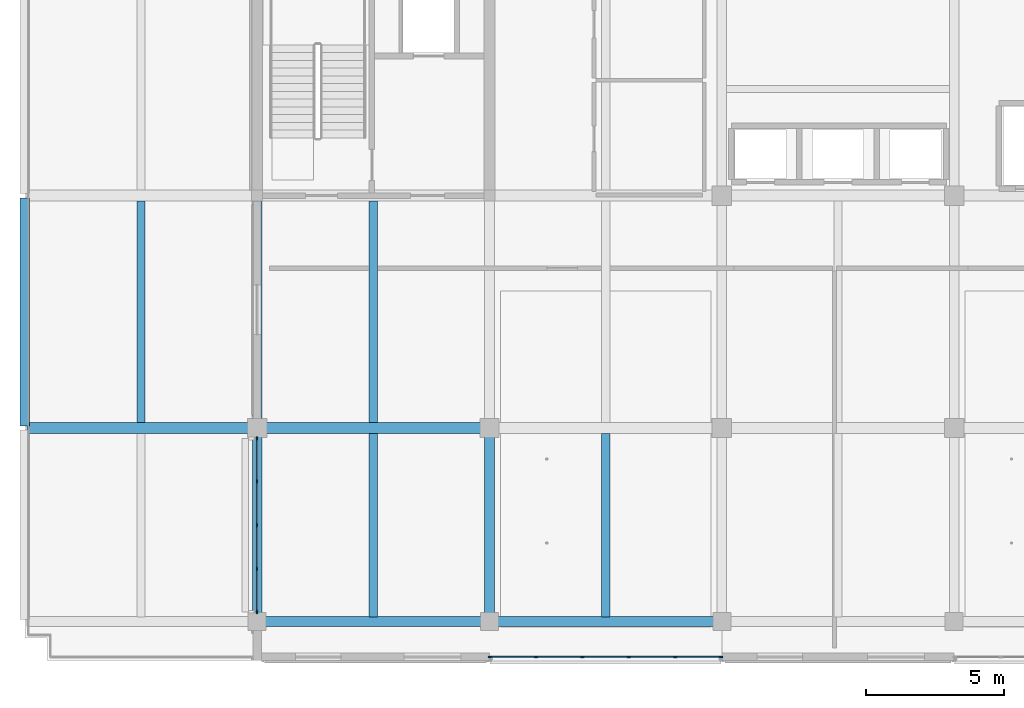
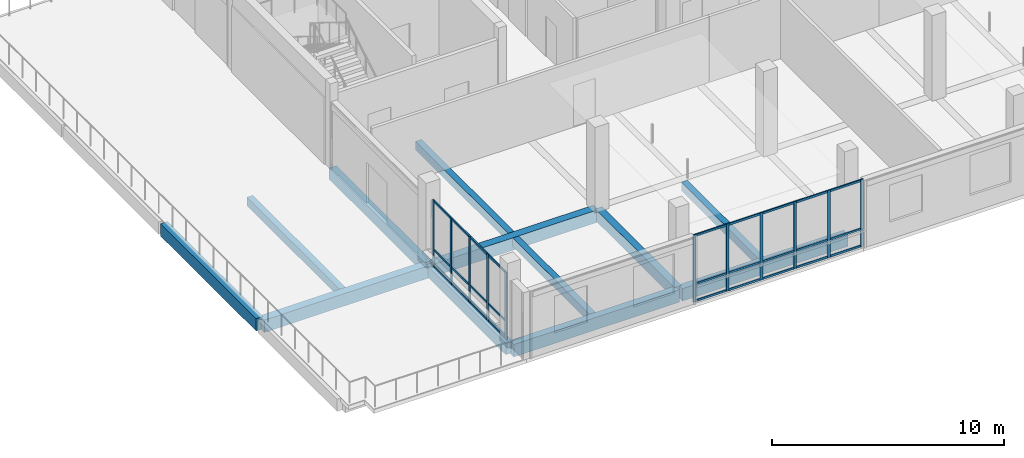
# One storey, part 2 of 28: 38 members, 12 beams, 2 elements without a shape of their own.
"""IFC4 building model written with IfcOpenShell, lengths in metres."""

from ifc_helpers import new_model, si_unit, direction, frame, origin, origin_2d, place, context, subcontext, project, spatial, rectangle, extrude, material, layer, layer_set, material_profile, profile_set, type_object, element, aggregate, save


model = new_model("IFC4")

# Units and contexts
model_context = context("Model", 3, precision=1e-05, world=origin(), true_north=direction((0.0, 1.0)))
body_context = subcontext(model_context, "Body", "Model", "MODEL_VIEW")
ifc_project = project(units=[si_unit("LENGTHUNIT", "METRE"), si_unit("AREAUNIT", "SQUARE_METRE"), si_unit("VOLUMEUNIT", "CUBIC_METRE"), si_unit("PLANEANGLEUNIT", "RADIAN"), si_unit("MASSUNIT", "GRAM", prefix="KILO")], contexts=[model_context])

# Site, building, storey
site_placement = place(None, origin())
site = spatial("IfcSite", under=ifc_project, at=site_placement, CompositionType="ELEMENT")
building_placement = place(site_placement, origin())
building = spatial("IfcBuilding", under=site, at=building_placement, Name="Telukmera Botanical Conservatory", CompositionType="ELEMENT")
storey_placement = place(building_placement, frame((0.0, 0.0, 51.0)))
storey = spatial("IfcBuildingStorey", under=building, at=storey_placement, Name="L11", CompositionType="ELEMENT", Elevation=51.0)

# Beams
ifc_material_1 = material(Name="Concrete C40/50", Category="concrete")
ifc_material_profile_1 = material_profile(ifc_material_1, rectangle(XDim=0.300048828125, YDim=0.449951171875, at=origin_2d()), Name="RC 300x450")
ifc_profile_set_1 = profile_set([ifc_material_profile_1], Name="Concrete C40/50")
beam_type_1 = type_object("IfcBeamType", Name="Beam_B25", PredefinedType="JOIST", material=ifc_profile_set_1)
beam_1_placement = place(storey_placement, frame((54.60009765625, 17.800048828125, -0.22509765625), z_axis=(0.0, 1.0, 0.0), x_axis=(-1.0, 0.0, 0.0)))
element("IfcBeam", 1, at=beam_1_placement, inside=storey, type_object=beam_type_1, Name="Tower Secondary Floor Joist L11", PredefinedType="JOIST", context=body_context, shape_type="SweptSolid", body=[
    extrude(rectangle(XDim=0.300048828125, YDim=0.449951171875, at=origin_2d()), origin(), (0.0, 0.0, 1.0), 8.0),
])
beam_2_placement = place(storey_placement, frame((63.0, 10.77490234375, -0.22509765625), z_axis=(0.0, 1.0, 0.0), x_axis=(-1.0, 0.0, 0.0)))
element("IfcBeam", 2, at=beam_2_placement, inside=storey, type_object=beam_type_1, Name="Tower Secondary Floor Joist L11", PredefinedType="JOIST", context=body_context, shape_type="SweptSolid", body=[
    extrude(rectangle(XDim=0.300048828125, YDim=0.449951171875, at=origin_2d()), origin(), (0.0, 0.0, 1.0), 6.625),
])
beam_3_placement = place(storey_placement, frame((63.0, 17.800048828125, -0.22509765625), z_axis=(0.0, 1.0, 0.0), x_axis=(-1.0, 0.0, 0.0)))
element("IfcBeam", 3, at=beam_3_placement, inside=storey, type_object=beam_type_1, Name="Tower Secondary Floor Joist L11", PredefinedType="JOIST", context=body_context, shape_type="SweptSolid", body=[
    extrude(rectangle(XDim=0.300048828125, YDim=0.449951171875, at=origin_2d()), origin(), (0.0, 0.0, 1.0), 8.0),
])
beam_4_placement = place(storey_placement, frame((71.39990234375, 10.77490234375, -0.22509765625), z_axis=(0.0, 1.0, 0.0), x_axis=(-1.0, 0.0, 0.0)))
element("IfcBeam", 4, at=beam_4_placement, inside=storey, type_object=beam_type_1, Name="Tower Secondary Floor Joist L11", PredefinedType="JOIST", context=body_context, shape_type="SweptSolid", body=[
    extrude(rectangle(XDim=0.300048828125, YDim=0.449951171875, at=origin_2d()), origin(), (0.0, 0.0, 1.0), 6.625),
])
ifc_material_profile_2 = material_profile(ifc_material_1, rectangle(XDim=0.39990234375, YDim=0.64990234375, at=origin_2d()), Name="RC 400x650")
ifc_profile_set_2 = profile_set([ifc_material_profile_2], Name="Concrete C40/50")
beam_type_2 = type_object("IfcBeamType", Name="Beam_B8", PredefinedType="BEAM", material=ifc_profile_set_2)
beam_5_placement = place(storey_placement, frame((50.47998046875, 17.60009765625, -0.324951171875), z_axis=(1.0, 0.0, 0.0), x_axis=(0.0, 1.0, 0.0)))
element("IfcBeam", 5, at=beam_5_placement, inside=storey, type_object=beam_type_2, Name="Tower Grid Beam L11", PredefinedType="BEAM", context=body_context, shape_type="SweptSolid", body=[
    extrude(rectangle(XDim=0.39990234375, YDim=0.64990234375, at=origin_2d()), origin(), (0.0, 0.0, 1.0), 8.239990234375),
])
beam_6_placement = place(storey_placement, frame((58.8798828125, 17.60009765625, -0.324951171875), z_axis=(1.0, 0.0, 0.0), x_axis=(0.0, 1.0, 0.0)))
element("IfcBeam", 6, at=beam_6_placement, inside=storey, type_object=beam_type_2, Name="Tower Grid Beam L11", PredefinedType="BEAM", context=body_context, shape_type="SweptSolid", body=[
    extrude(rectangle(XDim=0.39990234375, YDim=0.64990234375, at=origin_2d()), origin(), (0.0, 0.0, 1.0), 8.240234375),
])
ifc_material_profile_3 = material_profile(ifc_material_1, rectangle(XDim=0.35009765625, YDim=0.60009765625, at=origin_2d()), Name="RC 350x600")
ifc_profile_set_3 = profile_set([ifc_material_profile_3], Name="Concrete C40/50")
beam_type_3 = type_object("IfcBeamType", Name="Beam_B9", PredefinedType="BEAM", material=ifc_profile_set_3)
beam_7_placement = place(storey_placement, frame((58.800048828125, 10.679931640625, -0.300048828125), z_axis=(0.0, 1.0, 0.0), x_axis=(-1.0, 0.0, 0.0)))
element("IfcBeam", 7, at=beam_7_placement, inside=storey, type_object=beam_type_3, Name="Tower Transverse Beam L11", PredefinedType="BEAM", context=body_context, shape_type="SweptSolid", body=[
    extrude(rectangle(XDim=0.35009765625, YDim=0.60009765625, at=origin_2d()), origin(), (0.0, 0.0, 1.0), 6.840087890625),
])
beam_8_placement = place(storey_placement, frame((58.800048828125, 17.679931640625, -0.300048828125), z_axis=(0.0, 1.0, 0.0), x_axis=(-1.0, 0.0, 0.0)))
element("IfcBeam", 8, at=beam_8_placement, inside=storey, type_object=beam_type_3, Name="Tower Transverse Beam L11", PredefinedType="BEAM", context=body_context, shape_type="SweptSolid", body=[
    extrude(rectangle(XDim=0.35009765625, YDim=0.60009765625, at=origin_2d()), origin(), (0.0, 0.0, 1.0), 8.239990234375),
])
beam_9_placement = place(storey_placement, frame((67.199951171875, 10.679931640625, -0.300048828125), z_axis=(0.0, 1.0, 0.0), x_axis=(-1.0, 0.0, 0.0)))
element("IfcBeam", 9, at=beam_9_placement, inside=storey, type_object=beam_type_3, Name="Tower Transverse Beam L11", PredefinedType="BEAM", context=body_context, shape_type="SweptSolid", body=[
    extrude(rectangle(XDim=0.35009765625, YDim=0.60009765625, at=origin_2d()), origin(), (0.0, 0.0, 1.0), 6.840087890625),
])
ifc_material_2 = material(Name="Precast concrete C40/50", Category="concrete")
ifc_material_profile_4 = material_profile(ifc_material_2, rectangle(XDim=0.35009765625, YDim=0.64990234375, at=origin_2d()), Name="PC 350x650")
ifc_profile_set_4 = profile_set([ifc_material_profile_4], Name="Precast concrete C40/50")
beam_type_4 = type_object("IfcBeamType", Name="Beam_SP3", PredefinedType="SPANDREL", material=ifc_profile_set_4)
beam_10_placement = place(storey_placement, frame((58.8798828125, 10.60009765625, -0.324951171875), z_axis=(1.0, 0.0, 0.0), x_axis=(0.0, 1.0, 0.0)))
element("IfcBeam", 10, at=beam_10_placement, inside=storey, type_object=beam_type_4, Name="Tower Grid Beam L11", PredefinedType="SPANDREL", context=body_context, shape_type="SweptSolid", body=[
    extrude(rectangle(XDim=0.35009765625, YDim=0.64990234375, at=origin_2d()), origin(), (0.0, 0.0, 1.0), 8.240234375),
])
for number, where, z_axis, x_axis, name in (
    (11, (67.280029296875, 10.60009765625, -0.324951171875), (1.0, 0.0, 0.0), (0.0, 1.0, 0.0), "Tower Grid Beam L11"),
    (12, (50.39990234375, 17.679931640625, -0.324951171875), (0.0, 1.0, 0.0), (-1.0, 0.0, 0.0), "Tower Transverse Beam L11"),
):
    element("IfcBeam", number, at=place(storey_placement, frame(where, z_axis=z_axis, x_axis=x_axis)), inside=storey, type_object=beam_type_4, Name=name, PredefinedType="SPANDREL", context=body_context, shape_type="SweptSolid", body=[
        extrude(rectangle(XDim=0.35009765625, YDim=0.64990234375, at=origin_2d()), origin(), (0.0, 0.0, 1.0), 8.239990234375),
    ])

# Curtain wall, members
ifc_material_3 = material(Name="Anodised aluminium 6063-T6", Category="aluminium")
ifc_layer = layer(ifc_material_3, 0.179931640625)
ifc_layer_set = layer_set([ifc_layer], Name="Anodised aluminium 6063-T6")
curtain_wall_type = type_object("IfcCurtainWallType", Name="Tower Research Laboratory Unitised Curtain Wall", PredefinedType="USERDEFINED", material=ifc_layer_set)
curtain_wall_1_placement = place(storey_placement, origin())
curtain_wall_1 = element("IfcCurtainWall", 13, at=curtain_wall_1_placement, inside=storey, type_object=curtain_wall_type, Name="Unitised Curtain Wall CW15 V4:L11:S2", ObjectType="UNITISED CURTAIN WALL", PredefinedType="USERDEFINED")
ifc_material_profile_5 = material_profile(ifc_material_3, rectangle(XDim=0.06005859375, YDim=0.139892578125, at=origin_2d()), Name="ALU MULL 60x140")
ifc_profile_set_5 = profile_set([ifc_material_profile_5], Name="Anodised aluminium 6063-T6")
member_type_1 = type_object("IfcMemberType", Name="Curtain Wall Extruded Mullion 60x140", PredefinedType="MULLION", material=ifc_profile_set_5)
member_1_placement = place(storey_placement, frame((67.23193359375, 9.320068359375, 0.0), z_axis=(0.0, 0.0, 1.0), x_axis=(0.0, 1.0, 0.0)))
member_1 = element("IfcMember", 14, at=member_1_placement, type_object=member_type_1, Name="CW15 mullion 1", PredefinedType="MULLION", context=body_context, shape_type="SweptSolid", body=[
    extrude(rectangle(XDim=0.06005859375, YDim=0.139892578125, at=origin_2d()), origin(), (0.0, 0.0, 1.0), 3.550048828125),
])
member_2_placement = place(storey_placement, frame((68.881103515625, 9.320068359375, 0.0), z_axis=(0.0, 0.0, 1.0), x_axis=(0.0, 1.0, 0.0)))
member_2 = element("IfcMember", 15, at=member_2_placement, type_object=member_type_1, Name="CW15 mullion 2", PredefinedType="MULLION", context=body_context, shape_type="SweptSolid", body=[
    extrude(rectangle(XDim=0.06005859375, YDim=0.139892578125, at=origin_2d()), origin(), (0.0, 0.0, 1.0), 3.550048828125),
])
member_3_placement = place(storey_placement, frame((70.560302734375, 9.320068359375, 0.0), z_axis=(0.0, 0.0, 1.0), x_axis=(0.0, 1.0, 0.0)))
member_3 = element("IfcMember", 16, at=member_3_placement, type_object=member_type_1, Name="CW15 mullion 3", PredefinedType="MULLION", context=body_context, shape_type="SweptSolid", body=[
    extrude(rectangle(XDim=0.06005859375, YDim=0.139892578125, at=origin_2d()), origin(), (0.0, 0.0, 1.0), 3.550048828125),
])
member_4_placement = place(storey_placement, frame((72.239501953125, 9.320068359375, 0.0), z_axis=(0.0, 0.0, 1.0), x_axis=(0.0, 1.0, 0.0)))
member_4 = element("IfcMember", 17, at=member_4_placement, type_object=member_type_1, Name="CW15 mullion 4", PredefinedType="MULLION", context=body_context, shape_type="SweptSolid", body=[
    extrude(rectangle(XDim=0.06005859375, YDim=0.139892578125, at=origin_2d()), origin(), (0.0, 0.0, 1.0), 3.550048828125),
])
member_5_placement = place(storey_placement, frame((73.918701171875, 9.320068359375, 0.0), z_axis=(0.0, 0.0, 1.0), x_axis=(0.0, 1.0, 0.0)))
member_5 = element("IfcMember", 18, at=member_5_placement, type_object=member_type_1, Name="CW15 mullion 5", PredefinedType="MULLION", context=body_context, shape_type="SweptSolid", body=[
    extrude(rectangle(XDim=0.06005859375, YDim=0.139892578125, at=origin_2d()), origin(), (0.0, 0.0, 1.0), 3.550048828125),
])
member_6_placement = place(storey_placement, frame((75.568115234375, 9.320068359375, 0.0), z_axis=(0.0, 0.0, 1.0), x_axis=(0.0, 1.0, 0.0)))
member_6 = element("IfcMember", 19, at=member_6_placement, type_object=member_type_1, Name="CW15 mullion 6", PredefinedType="MULLION", context=body_context, shape_type="SweptSolid", body=[
    extrude(rectangle(XDim=0.06005859375, YDim=0.139892578125, at=origin_2d()), origin(), (0.0, 0.0, 1.0), 3.550048828125),
])

curtain_wall_2_placement = place(storey_placement, origin())
curtain_wall_2 = element("IfcCurtainWall", 20, at=curtain_wall_2_placement, inside=storey, type_object=curtain_wall_type, Name="Unitised Curtain Wall CW15 V4:L11:W1", ObjectType="UNITISED CURTAIN WALL", PredefinedType="USERDEFINED")
member_7_placement = place(storey_placement, frame((58.800048828125, 10.95703125, 0.0), z_axis=(0.0, 0.0, 1.0), x_axis=(-1.0, 0.0, 0.0)))
member_7 = element("IfcMember", 21, at=member_7_placement, type_object=member_type_1, Name="CW15 mullion 1", PredefinedType="MULLION", context=body_context, shape_type="SweptSolid", body=[
    extrude(rectangle(XDim=0.06005859375, YDim=0.139892578125, at=origin_2d()), origin(), (0.0, 0.0, 1.0), 3.550048828125),
])
member_8_placement = place(storey_placement, frame((58.800048828125, 12.50732421875, 0.0), z_axis=(0.0, 0.0, 1.0), x_axis=(-1.0, 0.0, 0.0)))
member_8 = element("IfcMember", 22, at=member_8_placement, type_object=member_type_1, Name="CW15 mullion 2", PredefinedType="MULLION", context=body_context, shape_type="SweptSolid", body=[
    extrude(rectangle(XDim=0.06005859375, YDim=0.139892578125, at=origin_2d()), origin(), (0.0, 0.0, 1.0), 3.550048828125),
])
member_9_placement = place(storey_placement, frame((58.800048828125, 14.08740234375, 0.0), z_axis=(0.0, 0.0, 1.0), x_axis=(-1.0, 0.0, 0.0)))
member_9 = element("IfcMember", 23, at=member_9_placement, type_object=member_type_1, Name="CW15 mullion 3", PredefinedType="MULLION", context=body_context, shape_type="SweptSolid", body=[
    extrude(rectangle(XDim=0.06005859375, YDim=0.139892578125, at=origin_2d()), origin(), (0.0, 0.0, 1.0), 3.550048828125),
])
member_10_placement = place(storey_placement, frame((58.800048828125, 15.667724609375, 0.0), z_axis=(0.0, 0.0, 1.0), x_axis=(-1.0, 0.0, 0.0)))
member_10 = element("IfcMember", 24, at=member_10_placement, type_object=member_type_1, Name="CW15 mullion 4", PredefinedType="MULLION", context=body_context, shape_type="SweptSolid", body=[
    extrude(rectangle(XDim=0.06005859375, YDim=0.139892578125, at=origin_2d()), origin(), (0.0, 0.0, 1.0), 3.550048828125),
])
member_11_placement = place(storey_placement, frame((58.800048828125, 17.218017578125, 0.0), z_axis=(0.0, 0.0, 1.0), x_axis=(-1.0, 0.0, 0.0)))
member_11 = element("IfcMember", 25, at=member_11_placement, type_object=member_type_1, Name="CW15 mullion 5", PredefinedType="MULLION", context=body_context, shape_type="SweptSolid", body=[
    extrude(rectangle(XDim=0.06005859375, YDim=0.139892578125, at=origin_2d()), origin(), (0.0, 0.0, 1.0), 3.550048828125),
])

# Member
ifc_material_profile_6 = material_profile(ifc_material_3, rectangle(XDim=0.06005859375, YDim=0.110107421875, at=origin_2d()), Name="ALU TRAN 60x110")
ifc_profile_set_6 = profile_set([ifc_material_profile_6], Name="Anodised aluminium 6063-T6")
member_type_2 = type_object("IfcMemberType", Name="Curtain Wall Extruded Transom 60x110", PredefinedType="USERDEFINED", material=ifc_profile_set_6)
member_12_placement = place(storey_placement, frame((67.261962890625, 9.320068359375, 0.054931640625), z_axis=(1.0, 0.0, 0.0), x_axis=(0.0, 1.0, 0.0)))
member_12 = element("IfcMember", 26, at=member_12_placement, type_object=member_type_2, Name="CW15 transom 1.1", ObjectType="TRANSOM", PredefinedType="USERDEFINED", context=body_context, shape_type="SweptSolid", body=[
    extrude(rectangle(XDim=0.06005859375, YDim=0.110107421875, at=origin_2d()), origin(), (0.0, 0.0, 1.0), 1.58935546875),
])

member_13_placement = place(storey_placement, frame((67.261962890625, 9.320068359375, 0.949951171875), z_axis=(1.0, 0.0, 0.0), x_axis=(0.0, 1.0, 0.0)))
member_13 = element("IfcMember", 27, at=member_13_placement, type_object=member_type_2, Name="CW15 transom 1.2", ObjectType="TRANSOM", PredefinedType="USERDEFINED", context=body_context, shape_type="SweptSolid", body=[
    extrude(rectangle(XDim=0.06005859375, YDim=0.110107421875, at=origin_2d()), origin(), (0.0, 0.0, 1.0), 1.58935546875),
])

member_14_placement = place(storey_placement, frame((67.261962890625, 9.320068359375, 3.4951171875), z_axis=(1.0, 0.0, 0.0), x_axis=(0.0, 1.0, 0.0)))
member_14 = element("IfcMember", 28, at=member_14_placement, type_object=member_type_2, Name="CW15 transom 1.3", ObjectType="TRANSOM", PredefinedType="USERDEFINED", context=body_context, shape_type="SweptSolid", body=[
    extrude(rectangle(XDim=0.06005859375, YDim=0.110107421875, at=origin_2d()), origin(), (0.0, 0.0, 1.0), 1.58935546875),
])

member_15_placement = place(storey_placement, frame((68.9111328125, 9.320068359375, 0.054931640625), z_axis=(1.0, 0.0, 0.0), x_axis=(0.0, 1.0, 0.0)))
member_15 = element("IfcMember", 29, at=member_15_placement, type_object=member_type_2, Name="CW15 transom 2.1", ObjectType="TRANSOM", PredefinedType="USERDEFINED", context=body_context, shape_type="SweptSolid", body=[
    extrude(rectangle(XDim=0.06005859375, YDim=0.110107421875, at=origin_2d()), origin(), (0.0, 0.0, 1.0), 1.619384765625),
])

member_16_placement = place(storey_placement, frame((68.9111328125, 9.320068359375, 0.949951171875), z_axis=(1.0, 0.0, 0.0), x_axis=(0.0, 1.0, 0.0)))
member_16 = element("IfcMember", 30, at=member_16_placement, type_object=member_type_2, Name="CW15 transom 2.2", ObjectType="TRANSOM", PredefinedType="USERDEFINED", context=body_context, shape_type="SweptSolid", body=[
    extrude(rectangle(XDim=0.06005859375, YDim=0.110107421875, at=origin_2d()), origin(), (0.0, 0.0, 1.0), 1.619384765625),
])

member_17_placement = place(storey_placement, frame((68.9111328125, 9.320068359375, 3.4951171875), z_axis=(1.0, 0.0, 0.0), x_axis=(0.0, 1.0, 0.0)))
member_17 = element("IfcMember", 31, at=member_17_placement, type_object=member_type_2, Name="CW15 transom 2.3", ObjectType="TRANSOM", PredefinedType="USERDEFINED", context=body_context, shape_type="SweptSolid", body=[
    extrude(rectangle(XDim=0.06005859375, YDim=0.110107421875, at=origin_2d()), origin(), (0.0, 0.0, 1.0), 1.619384765625),
])

member_18_placement = place(storey_placement, frame((70.59033203125, 9.320068359375, 0.054931640625), z_axis=(1.0, 0.0, 0.0), x_axis=(0.0, 1.0, 0.0)))
member_18 = element("IfcMember", 32, at=member_18_placement, type_object=member_type_2, Name="CW15 transom 3.1", ObjectType="TRANSOM", PredefinedType="USERDEFINED", context=body_context, shape_type="SweptSolid", body=[
    extrude(rectangle(XDim=0.06005859375, YDim=0.110107421875, at=origin_2d()), origin(), (0.0, 0.0, 1.0), 1.619384765625),
])

member_19_placement = place(storey_placement, frame((70.59033203125, 9.320068359375, 0.949951171875), z_axis=(1.0, 0.0, 0.0), x_axis=(0.0, 1.0, 0.0)))
member_19 = element("IfcMember", 33, at=member_19_placement, type_object=member_type_2, Name="CW15 transom 3.2", ObjectType="TRANSOM", PredefinedType="USERDEFINED", context=body_context, shape_type="SweptSolid", body=[
    extrude(rectangle(XDim=0.06005859375, YDim=0.110107421875, at=origin_2d()), origin(), (0.0, 0.0, 1.0), 1.619384765625),
])

member_20_placement = place(storey_placement, frame((70.59033203125, 9.320068359375, 3.4951171875), z_axis=(1.0, 0.0, 0.0), x_axis=(0.0, 1.0, 0.0)))
member_20 = element("IfcMember", 34, at=member_20_placement, type_object=member_type_2, Name="CW15 transom 3.3", ObjectType="TRANSOM", PredefinedType="USERDEFINED", context=body_context, shape_type="SweptSolid", body=[
    extrude(rectangle(XDim=0.06005859375, YDim=0.110107421875, at=origin_2d()), origin(), (0.0, 0.0, 1.0), 1.619384765625),
])

member_21_placement = place(storey_placement, frame((72.26953125, 9.320068359375, 0.054931640625), z_axis=(1.0, 0.0, 0.0), x_axis=(0.0, 1.0, 0.0)))
member_21 = element("IfcMember", 35, at=member_21_placement, type_object=member_type_2, Name="CW15 transom 4.1", ObjectType="TRANSOM", PredefinedType="USERDEFINED", context=body_context, shape_type="SweptSolid", body=[
    extrude(rectangle(XDim=0.06005859375, YDim=0.110107421875, at=origin_2d()), origin(), (0.0, 0.0, 1.0), 1.619384765625),
])

member_22_placement = place(storey_placement, frame((72.26953125, 9.320068359375, 0.949951171875), z_axis=(1.0, 0.0, 0.0), x_axis=(0.0, 1.0, 0.0)))
member_22 = element("IfcMember", 36, at=member_22_placement, type_object=member_type_2, Name="CW15 transom 4.2", ObjectType="TRANSOM", PredefinedType="USERDEFINED", context=body_context, shape_type="SweptSolid", body=[
    extrude(rectangle(XDim=0.06005859375, YDim=0.110107421875, at=origin_2d()), origin(), (0.0, 0.0, 1.0), 1.619384765625),
])

member_23_placement = place(storey_placement, frame((72.26953125, 9.320068359375, 3.4951171875), z_axis=(1.0, 0.0, 0.0), x_axis=(0.0, 1.0, 0.0)))
member_23 = element("IfcMember", 37, at=member_23_placement, type_object=member_type_2, Name="CW15 transom 4.3", ObjectType="TRANSOM", PredefinedType="USERDEFINED", context=body_context, shape_type="SweptSolid", body=[
    extrude(rectangle(XDim=0.06005859375, YDim=0.110107421875, at=origin_2d()), origin(), (0.0, 0.0, 1.0), 1.619384765625),
])

member_24_placement = place(storey_placement, frame((73.94873046875, 9.320068359375, 0.054931640625), z_axis=(1.0, 0.0, 0.0), x_axis=(0.0, 1.0, 0.0)))
member_24 = element("IfcMember", 38, at=member_24_placement, type_object=member_type_2, Name="CW15 transom 5.1", ObjectType="TRANSOM", PredefinedType="USERDEFINED", context=body_context, shape_type="SweptSolid", body=[
    extrude(rectangle(XDim=0.06005859375, YDim=0.110107421875, at=origin_2d()), origin(), (0.0, 0.0, 1.0), 1.58935546875),
])

member_25_placement = place(storey_placement, frame((73.94873046875, 9.320068359375, 0.949951171875), z_axis=(1.0, 0.0, 0.0), x_axis=(0.0, 1.0, 0.0)))
member_25 = element("IfcMember", 39, at=member_25_placement, type_object=member_type_2, Name="CW15 transom 5.2", ObjectType="TRANSOM", PredefinedType="USERDEFINED", context=body_context, shape_type="SweptSolid", body=[
    extrude(rectangle(XDim=0.06005859375, YDim=0.110107421875, at=origin_2d()), origin(), (0.0, 0.0, 1.0), 1.58935546875),
])

member_26_placement = place(storey_placement, frame((73.94873046875, 9.320068359375, 3.4951171875), z_axis=(1.0, 0.0, 0.0), x_axis=(0.0, 1.0, 0.0)))
member_26 = element("IfcMember", 40, at=member_26_placement, type_object=member_type_2, Name="CW15 transom 5.3", ObjectType="TRANSOM", PredefinedType="USERDEFINED", context=body_context, shape_type="SweptSolid", body=[
    extrude(rectangle(XDim=0.06005859375, YDim=0.110107421875, at=origin_2d()), origin(), (0.0, 0.0, 1.0), 1.58935546875),
])

aggregate(curtain_wall_1, [member_1, member_2, member_3, member_4, member_5, member_6, member_12, member_13, member_14, member_15, member_16, member_17, member_18, member_19, member_20, member_21, member_22, member_23, member_24, member_25, member_26])

member_27_placement = place(storey_placement, frame((58.800048828125, 10.987060546875, 0.054931640625), z_axis=(0.0, 1.0, 0.0), x_axis=(-1.0, 0.0, 0.0)))
member_27 = element("IfcMember", 41, at=member_27_placement, type_object=member_type_2, Name="CW15 transom 1.1", ObjectType="TRANSOM", PredefinedType="USERDEFINED", context=body_context, shape_type="SweptSolid", body=[
    extrude(rectangle(XDim=0.06005859375, YDim=0.110107421875, at=origin_2d()), origin(), (0.0, 0.0, 1.0), 1.490234375),
])

member_28_placement = place(storey_placement, frame((58.800048828125, 10.987060546875, 0.949951171875), z_axis=(0.0, 1.0, 0.0), x_axis=(-1.0, 0.0, 0.0)))
member_28 = element("IfcMember", 42, at=member_28_placement, type_object=member_type_2, Name="CW15 transom 1.2", ObjectType="TRANSOM", PredefinedType="USERDEFINED", context=body_context, shape_type="SweptSolid", body=[
    extrude(rectangle(XDim=0.06005859375, YDim=0.110107421875, at=origin_2d()), origin(), (0.0, 0.0, 1.0), 1.490234375),
])

member_29_placement = place(storey_placement, frame((58.800048828125, 10.987060546875, 3.4951171875), z_axis=(0.0, 1.0, 0.0), x_axis=(-1.0, 0.0, 0.0)))
member_29 = element("IfcMember", 43, at=member_29_placement, type_object=member_type_2, Name="CW15 transom 1.3", ObjectType="TRANSOM", PredefinedType="USERDEFINED", context=body_context, shape_type="SweptSolid", body=[
    extrude(rectangle(XDim=0.06005859375, YDim=0.110107421875, at=origin_2d()), origin(), (0.0, 0.0, 1.0), 1.490234375),
])

member_30_placement = place(storey_placement, frame((58.800048828125, 12.537353515625, 0.054931640625), z_axis=(0.0, 1.0, 0.0), x_axis=(-1.0, 0.0, 0.0)))
member_30 = element("IfcMember", 44, at=member_30_placement, type_object=member_type_2, Name="CW15 transom 2.1", ObjectType="TRANSOM", PredefinedType="USERDEFINED", context=body_context, shape_type="SweptSolid", body=[
    extrude(rectangle(XDim=0.06005859375, YDim=0.110107421875, at=origin_2d()), origin(), (0.0, 0.0, 1.0), 1.520263671875),
])

member_31_placement = place(storey_placement, frame((58.800048828125, 12.537353515625, 0.949951171875), z_axis=(0.0, 1.0, 0.0), x_axis=(-1.0, 0.0, 0.0)))
member_31 = element("IfcMember", 45, at=member_31_placement, type_object=member_type_2, Name="CW15 transom 2.2", ObjectType="TRANSOM", PredefinedType="USERDEFINED", context=body_context, shape_type="SweptSolid", body=[
    extrude(rectangle(XDim=0.06005859375, YDim=0.110107421875, at=origin_2d()), origin(), (0.0, 0.0, 1.0), 1.520263671875),
])

member_32_placement = place(storey_placement, frame((58.800048828125, 12.537353515625, 3.4951171875), z_axis=(0.0, 1.0, 0.0), x_axis=(-1.0, 0.0, 0.0)))
member_32 = element("IfcMember", 46, at=member_32_placement, type_object=member_type_2, Name="CW15 transom 2.3", ObjectType="TRANSOM", PredefinedType="USERDEFINED", context=body_context, shape_type="SweptSolid", body=[
    extrude(rectangle(XDim=0.06005859375, YDim=0.110107421875, at=origin_2d()), origin(), (0.0, 0.0, 1.0), 1.520263671875),
])

member_33_placement = place(storey_placement, frame((58.800048828125, 14.117431640625, 0.054931640625), z_axis=(0.0, 1.0, 0.0), x_axis=(-1.0, 0.0, 0.0)))
member_33 = element("IfcMember", 47, at=member_33_placement, type_object=member_type_2, Name="CW15 transom 3.1", ObjectType="TRANSOM", PredefinedType="USERDEFINED", context=body_context, shape_type="SweptSolid", body=[
    extrude(rectangle(XDim=0.06005859375, YDim=0.110107421875, at=origin_2d()), origin(), (0.0, 0.0, 1.0), 1.520263671875),
])

member_34_placement = place(storey_placement, frame((58.800048828125, 14.117431640625, 0.949951171875), z_axis=(0.0, 1.0, 0.0), x_axis=(-1.0, 0.0, 0.0)))
member_34 = element("IfcMember", 48, at=member_34_placement, type_object=member_type_2, Name="CW15 transom 3.2", ObjectType="TRANSOM", PredefinedType="USERDEFINED", context=body_context, shape_type="SweptSolid", body=[
    extrude(rectangle(XDim=0.06005859375, YDim=0.110107421875, at=origin_2d()), origin(), (0.0, 0.0, 1.0), 1.520263671875),
])

member_35_placement = place(storey_placement, frame((58.800048828125, 14.117431640625, 3.4951171875), z_axis=(0.0, 1.0, 0.0), x_axis=(-1.0, 0.0, 0.0)))
member_35 = element("IfcMember", 49, at=member_35_placement, type_object=member_type_2, Name="CW15 transom 3.3", ObjectType="TRANSOM", PredefinedType="USERDEFINED", context=body_context, shape_type="SweptSolid", body=[
    extrude(rectangle(XDim=0.06005859375, YDim=0.110107421875, at=origin_2d()), origin(), (0.0, 0.0, 1.0), 1.520263671875),
])

member_36_placement = place(storey_placement, frame((58.800048828125, 15.69775390625, 0.054931640625), z_axis=(0.0, 1.0, 0.0), x_axis=(-1.0, 0.0, 0.0)))
member_36 = element("IfcMember", 50, at=member_36_placement, type_object=member_type_2, Name="CW15 transom 4.1", ObjectType="TRANSOM", PredefinedType="USERDEFINED", context=body_context, shape_type="SweptSolid", body=[
    extrude(rectangle(XDim=0.06005859375, YDim=0.110107421875, at=origin_2d()), origin(), (0.0, 0.0, 1.0), 1.490234375),
])

member_37_placement = place(storey_placement, frame((58.800048828125, 15.69775390625, 0.949951171875), z_axis=(0.0, 1.0, 0.0), x_axis=(-1.0, 0.0, 0.0)))
member_37 = element("IfcMember", 51, at=member_37_placement, type_object=member_type_2, Name="CW15 transom 4.2", ObjectType="TRANSOM", PredefinedType="USERDEFINED", context=body_context, shape_type="SweptSolid", body=[
    extrude(rectangle(XDim=0.06005859375, YDim=0.110107421875, at=origin_2d()), origin(), (0.0, 0.0, 1.0), 1.490234375),
])

member_38_placement = place(storey_placement, frame((58.800048828125, 15.69775390625, 3.4951171875), z_axis=(0.0, 1.0, 0.0), x_axis=(-1.0, 0.0, 0.0)))
member_38 = element("IfcMember", 52, at=member_38_placement, type_object=member_type_2, Name="CW15 transom 4.3", ObjectType="TRANSOM", PredefinedType="USERDEFINED", context=body_context, shape_type="SweptSolid", body=[
    extrude(rectangle(XDim=0.06005859375, YDim=0.110107421875, at=origin_2d()), origin(), (0.0, 0.0, 1.0), 1.490234375),
])

aggregate(curtain_wall_2, [member_7, member_8, member_9, member_10, member_11, member_27, member_28, member_29, member_30, member_31, member_32, member_33, member_34, member_35, member_36, member_37, member_38])

save(model, "model.ifc")
